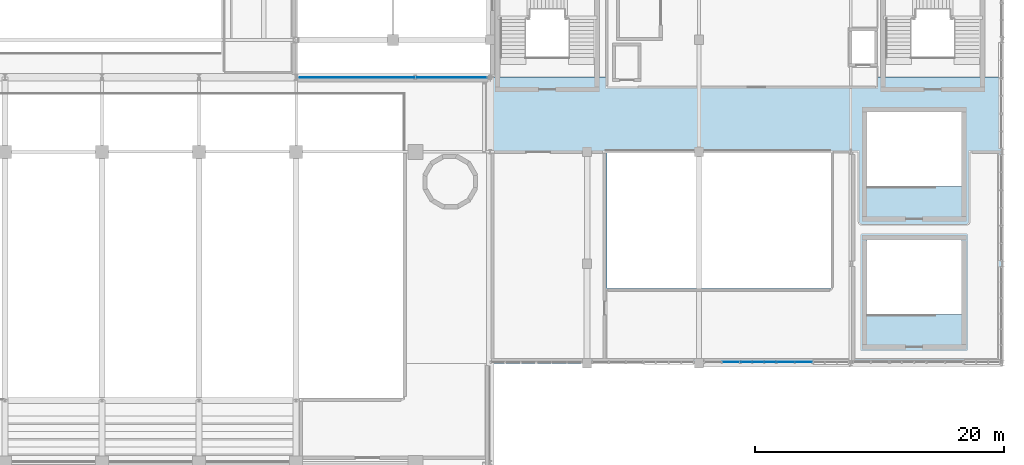
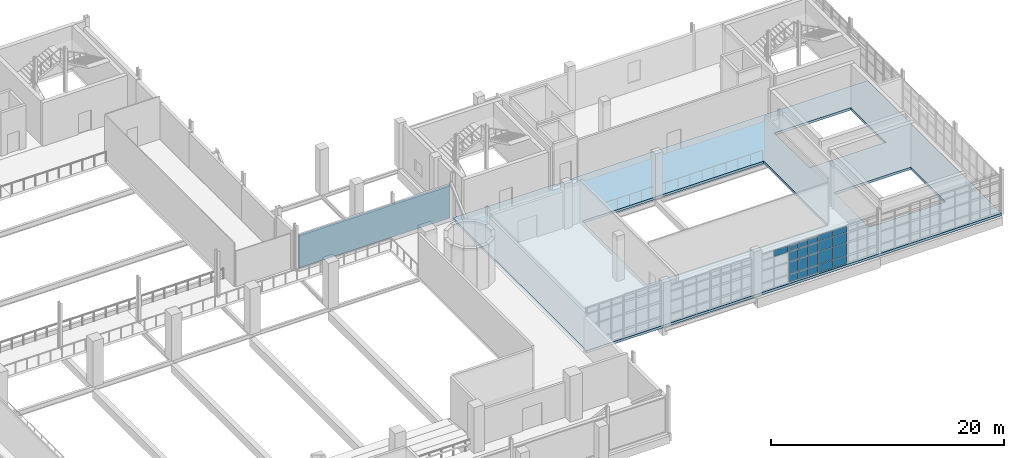
# One storey, part 73 of 102: 22 plates, 1 slab, 3 elements without a shape of their own.
"""IFC4 building model written with IfcOpenShell, lengths in metres."""

from ifc_helpers import new_model, si_unit, derived_unit, direction, frame, origin, origin_2d, place, context, subcontext, project, spatial, polyline, rectangle, outline, extrude, material, layer, layer_set, type_object, element, aggregate, save


model = new_model("IFC4")

# Units and contexts
model_context = context("Model", 3, precision=1e-05, world=origin(), true_north=direction((0.0, 1.0)))
body_context = subcontext(model_context, "Body", "Model", "MODEL_VIEW")
ifc_project = project(units=[si_unit("LENGTHUNIT", "METRE"), si_unit("AREAUNIT", "SQUARE_METRE"), si_unit("VOLUMEUNIT", "CUBIC_METRE"), si_unit("PLANEANGLEUNIT", "RADIAN"), si_unit("MASSUNIT", "GRAM", prefix="KILO"), derived_unit("THERMALTRANSMITTANCEUNIT", [(si_unit("POWERUNIT", "WATT"), 1), (si_unit("LENGTHUNIT", "METRE"), -2), (si_unit("THERMODYNAMICTEMPERATUREUNIT", "KELVIN"), -1)])], contexts=[model_context])

# Site, building, storey
site_placement = place(None, origin())
site = spatial("IfcSite", under=ifc_project, at=site_placement, CompositionType="ELEMENT")
building_placement = place(site_placement, origin())
building = spatial("IfcBuilding", under=site, at=building_placement, Name="Nallur Shell Playhouse", CompositionType="ELEMENT")
storey_placement = place(building_placement, frame((0.0, 0.0, 15.0)))
storey = spatial("IfcBuildingStorey", under=building, at=storey_placement, Name="L04", CompositionType="ELEMENT", Elevation=15.0)

# Curtain wall, plates
ifc_material_1 = material(Name="Anodised Aluminium Double-Glazed Facade System", Category="aluminium")
ifc_layer_1 = layer(ifc_material_1, 0.179931640625)
ifc_layer_set_1 = layer_set([ifc_layer_1], Name="Anodised Aluminium Double-Glazed Facade System")
curtain_wall_type_1 = type_object("IfcCurtainWallType", Name="CW-UNIT-29", PredefinedType="NOTDEFINED", material=ifc_layer_set_1)
curtain_wall_1_placement = place(storey_placement, origin())
curtain_wall_1 = element("IfcCurtainWall", 1, at=curtain_wall_1_placement, inside=storey, type_object=curtain_wall_type_1, Name="Unitised curtain wall CW-125 (L04)", PredefinedType="NOTDEFINED")
ifc_material_2 = material(Name="Solar-Control Low-E Laminated Insulating Glass", Category="glass")
ifc_layer_2 = layer(ifc_material_2, 0.033935546875)
ifc_layer_set_2 = layer_set([ifc_layer_2], Name="Solar-Control Low-E Laminated Insulating Glass")
plate_type_1 = type_object("IfcPlateType", Name="PT-GLZ-05", PredefinedType="CURTAIN_PANEL", material=ifc_layer_set_2)
plate_1_placement = place(storey_placement, frame((143.793212890625, 24.090087890625, 0.05712890625), z_axis=(0.0, 0.0, 1.0), x_axis=(-1.0, 0.0, 0.0)))
plate_1 = element("IfcPlate", 2, at=plate_1_placement, type_object=plate_type_1, Name="CW-29 panel 1.1", PredefinedType="CURTAIN_PANEL", context=body_context, shape_type="SweptSolid", body=[
    extrude(rectangle(XDim=1.3515625, YDim=0.033935546875, at=origin_2d()), origin(), (0.0, 0.0, 1.0), 0.818603515625),
])
plate_2_placement = place(storey_placement, frame((143.793212890625, 24.090087890625, 0.924560546875), z_axis=(0.0, 0.0, 1.0), x_axis=(-1.0, 0.0, 0.0)))
plate_2 = element("IfcPlate", 3, at=plate_2_placement, type_object=plate_type_1, Name="CW-29 panel 1.2", PredefinedType="CURTAIN_PANEL", context=body_context, shape_type="SweptSolid", body=[
    extrude(rectangle(XDim=1.3515625, YDim=0.033935546875, at=origin_2d()), origin(), (0.0, 0.0, 1.0), 1.2939453125),
])
plate_3_placement = place(storey_placement, frame((143.793212890625, 24.090087890625, 2.267578125), z_axis=(0.0, 0.0, 1.0), x_axis=(-1.0, 0.0, 0.0)))
plate_3 = element("IfcPlate", 4, at=plate_3_placement, type_object=plate_type_1, Name="CW-29 panel 1.3", PredefinedType="CURTAIN_PANEL", context=body_context, shape_type="SweptSolid", body=[
    extrude(rectangle(XDim=1.3515625, YDim=0.033935546875, at=origin_2d()), origin(), (0.0, 0.0, 1.0), 1.032958984375),
])
plate_4_placement = place(storey_placement, frame((143.793212890625, 24.090087890625, 3.349609375), z_axis=(0.0, 0.0, 1.0), x_axis=(-1.0, 0.0, 0.0)))
plate_4 = element("IfcPlate", 5, at=plate_4_placement, type_object=plate_type_1, Name="CW-29 panel 1.4", PredefinedType="CURTAIN_PANEL", context=body_context, shape_type="SweptSolid", body=[
    extrude(rectangle(XDim=1.3515625, YDim=0.033935546875, at=origin_2d()), origin(), (0.0, 0.0, 1.0), 0.598388671875),
])
plate_5_placement = place(storey_placement, frame((142.377685546875, 24.090087890625, 0.05712890625), z_axis=(0.0, 0.0, 1.0), x_axis=(-1.0, 0.0, 0.0)))
plate_5 = element("IfcPlate", 6, at=plate_5_placement, type_object=plate_type_1, Name="CW-29 panel 2.1", PredefinedType="CURTAIN_PANEL", context=body_context, shape_type="SweptSolid", body=[
    extrude(rectangle(XDim=1.3515625, YDim=0.033935546875, at=origin_2d()), origin(), (0.0, 0.0, 1.0), 0.818603515625),
])
plate_6_placement = place(storey_placement, frame((142.377685546875, 24.090087890625, 0.924560546875), z_axis=(0.0, 0.0, 1.0), x_axis=(-1.0, 0.0, 0.0)))
plate_6 = element("IfcPlate", 7, at=plate_6_placement, type_object=plate_type_1, Name="CW-29 panel 2.2", PredefinedType="CURTAIN_PANEL", context=body_context, shape_type="SweptSolid", body=[
    extrude(rectangle(XDim=1.3515625, YDim=0.033935546875, at=origin_2d()), origin(), (0.0, 0.0, 1.0), 1.2939453125),
])
plate_7_placement = place(storey_placement, frame((142.377685546875, 24.090087890625, 2.267578125), z_axis=(0.0, 0.0, 1.0), x_axis=(-1.0, 0.0, 0.0)))
plate_7 = element("IfcPlate", 8, at=plate_7_placement, type_object=plate_type_1, Name="CW-29 panel 2.3", PredefinedType="CURTAIN_PANEL", context=body_context, shape_type="SweptSolid", body=[
    extrude(rectangle(XDim=1.3515625, YDim=0.033935546875, at=origin_2d()), origin(), (0.0, 0.0, 1.0), 1.032958984375),
])
plate_8_placement = place(storey_placement, frame((142.377685546875, 24.090087890625, 3.349609375), z_axis=(0.0, 0.0, 1.0), x_axis=(-1.0, 0.0, 0.0)))
plate_8 = element("IfcPlate", 9, at=plate_8_placement, type_object=plate_type_1, Name="CW-29 panel 2.4", PredefinedType="CURTAIN_PANEL", context=body_context, shape_type="SweptSolid", body=[
    extrude(rectangle(XDim=1.3515625, YDim=0.033935546875, at=origin_2d()), origin(), (0.0, 0.0, 1.0), 0.598388671875),
])
aggregate(curtain_wall_1, [plate_1, plate_2, plate_3, plate_4, plate_5, plate_6, plate_7, plate_8])

ifc_layer_3 = layer(ifc_material_1, 0.159912109375)
ifc_layer_set_3 = layer_set([ifc_layer_3], Name="Anodised Aluminium Double-Glazed Facade System")
curtain_wall_type_2 = type_object("IfcCurtainWallType", Name="CW-UNIT-30", PredefinedType="NOTDEFINED", material=ifc_layer_set_3)
curtain_wall_2_placement = place(storey_placement, origin())
curtain_wall_2 = element("IfcCurtainWall", 10, at=curtain_wall_2_placement, inside=storey, type_object=curtain_wall_type_2, Name="Unitised curtain wall CW-126 (L04)", PredefinedType="NOTDEFINED")
ifc_layer_4 = layer(ifc_material_2, 0.035888671875)
ifc_layer_set_4 = layer_set([ifc_layer_4], Name="Solar-Control Low-E Laminated Insulating Glass")
plate_type_2 = type_object("IfcPlateType", Name="PT-GLZ-06", PredefinedType="CURTAIN_PANEL", material=ifc_layer_set_4)
plate_9_placement = place(storey_placement, frame((141.115966796875, 24.090087890625, 0.092041015625), z_axis=(0.0, 0.0, 1.0), x_axis=(-1.0, 0.0, 0.0)))
plate_9 = element("IfcPlate", 11, at=plate_9_placement, type_object=plate_type_2, Name="CW-30 panel 1.1", PredefinedType="CURTAIN_PANEL", context=body_context, shape_type="SweptSolid", body=[
    extrude(rectangle(XDim=0.873779296875, YDim=0.035888671875, at=origin_2d()), origin(), (0.0, 0.0, 1.0), 0.76611328125),
])
plate_10_placement = place(storey_placement, frame((141.115966796875, 24.090087890625, 0.94189453125), z_axis=(0.0, 0.0, 1.0), x_axis=(-1.0, 0.0, 0.0)))
plate_10 = element("IfcPlate", 12, at=plate_10_placement, type_object=plate_type_2, Name="CW-30 panel 1.2", PredefinedType="CURTAIN_PANEL", context=body_context, shape_type="SweptSolid", body=[
    extrude(rectangle(XDim=0.873779296875, YDim=0.035888671875, at=origin_2d()), origin(), (0.0, 0.0, 1.0), 1.248046875),
])
plate_11_placement = place(storey_placement, frame((141.115966796875, 24.090087890625, 2.27392578125), z_axis=(0.0, 0.0, 1.0), x_axis=(-1.0, 0.0, 0.0)))
plate_11 = element("IfcPlate", 13, at=plate_11_placement, type_object=plate_type_2, Name="CW-30 panel 1.3", PredefinedType="CURTAIN_PANEL", context=body_context, shape_type="SweptSolid", body=[
    extrude(rectangle(XDim=0.873779296875, YDim=0.035888671875, at=origin_2d()), origin(), (0.0, 0.0, 1.0), 0.989013671875),
])
plate_12_placement = place(storey_placement, frame((141.115966796875, 24.090087890625, 3.34716796875), z_axis=(0.0, 0.0, 1.0), x_axis=(-1.0, 0.0, 0.0)))
plate_12 = element("IfcPlate", 14, at=plate_12_placement, type_object=plate_type_2, Name="CW-30 panel 1.4", PredefinedType="CURTAIN_PANEL", context=body_context, shape_type="SweptSolid", body=[
    extrude(rectangle(XDim=0.873779296875, YDim=0.035888671875, at=origin_2d()), origin(), (0.0, 0.0, 1.0), 0.5458984375),
])
plate_13_placement = place(storey_placement, frame((140.16455078125, 24.090087890625, 0.092041015625), z_axis=(0.0, 0.0, 1.0), x_axis=(-1.0, 0.0, 0.0)))
plate_13 = element("IfcPlate", 15, at=plate_13_placement, type_object=plate_type_2, Name="CW-30 panel 2.1", PredefinedType="CURTAIN_PANEL", context=body_context, shape_type="SweptSolid", body=[
    extrude(rectangle(XDim=0.911376953125, YDim=0.035888671875, at=origin_2d()), origin(), (0.0, 0.0, 1.0), 0.76611328125),
])
plate_14_placement = place(storey_placement, frame((140.16455078125, 24.090087890625, 0.94189453125), z_axis=(0.0, 0.0, 1.0), x_axis=(-1.0, 0.0, 0.0)))
plate_14 = element("IfcPlate", 16, at=plate_14_placement, type_object=plate_type_2, Name="CW-30 panel 2.2", PredefinedType="CURTAIN_PANEL", context=body_context, shape_type="SweptSolid", body=[
    extrude(rectangle(XDim=0.911376953125, YDim=0.035888671875, at=origin_2d()), origin(), (0.0, 0.0, 1.0), 1.248046875),
])
plate_15_placement = place(storey_placement, frame((140.16455078125, 24.090087890625, 2.27392578125), z_axis=(0.0, 0.0, 1.0), x_axis=(-1.0, 0.0, 0.0)))
plate_15 = element("IfcPlate", 17, at=plate_15_placement, type_object=plate_type_2, Name="CW-30 panel 2.3", PredefinedType="CURTAIN_PANEL", context=body_context, shape_type="SweptSolid", body=[
    extrude(rectangle(XDim=0.911376953125, YDim=0.035888671875, at=origin_2d()), origin(), (0.0, 0.0, 1.0), 0.989013671875),
])
plate_16_placement = place(storey_placement, frame((140.16455078125, 24.090087890625, 3.34716796875), z_axis=(0.0, 0.0, 1.0), x_axis=(-1.0, 0.0, 0.0)))
plate_16 = element("IfcPlate", 18, at=plate_16_placement, type_object=plate_type_2, Name="CW-30 panel 2.4", PredefinedType="CURTAIN_PANEL", context=body_context, shape_type="SweptSolid", body=[
    extrude(rectangle(XDim=0.911376953125, YDim=0.035888671875, at=origin_2d()), origin(), (0.0, 0.0, 1.0), 0.5458984375),
])
plate_17_placement = place(storey_placement, frame((139.212890625, 24.090087890625, 0.092041015625), z_axis=(0.0, 0.0, 1.0), x_axis=(-1.0, 0.0, 0.0)))
plate_17 = element("IfcPlate", 19, at=plate_17_placement, type_object=plate_type_2, Name="CW-30 panel 3.1", PredefinedType="CURTAIN_PANEL", context=body_context, shape_type="SweptSolid", body=[
    extrude(rectangle(XDim=0.873779296875, YDim=0.035888671875, at=origin_2d()), origin(), (0.0, 0.0, 1.0), 0.76611328125),
])
plate_18_placement = place(storey_placement, frame((139.212890625, 24.090087890625, 0.94189453125), z_axis=(0.0, 0.0, 1.0), x_axis=(-1.0, 0.0, 0.0)))
plate_18 = element("IfcPlate", 20, at=plate_18_placement, type_object=plate_type_2, Name="CW-30 panel 3.2", PredefinedType="CURTAIN_PANEL", context=body_context, shape_type="SweptSolid", body=[
    extrude(rectangle(XDim=0.873779296875, YDim=0.035888671875, at=origin_2d()), origin(), (0.0, 0.0, 1.0), 1.248046875),
])
plate_19_placement = place(storey_placement, frame((139.212890625, 24.090087890625, 2.27392578125), z_axis=(0.0, 0.0, 1.0), x_axis=(-1.0, 0.0, 0.0)))
plate_19 = element("IfcPlate", 21, at=plate_19_placement, type_object=plate_type_2, Name="CW-30 panel 3.3", PredefinedType="CURTAIN_PANEL", context=body_context, shape_type="SweptSolid", body=[
    extrude(rectangle(XDim=0.873779296875, YDim=0.035888671875, at=origin_2d()), origin(), (0.0, 0.0, 1.0), 0.989013671875),
])
plate_20_placement = place(storey_placement, frame((139.212890625, 24.090087890625, 3.34716796875), z_axis=(0.0, 0.0, 1.0), x_axis=(-1.0, 0.0, 0.0)))
plate_20 = element("IfcPlate", 22, at=plate_20_placement, type_object=plate_type_2, Name="CW-30 panel 3.4", PredefinedType="CURTAIN_PANEL", context=body_context, shape_type="SweptSolid", body=[
    extrude(rectangle(XDim=0.873779296875, YDim=0.035888671875, at=origin_2d()), origin(), (0.0, 0.0, 1.0), 0.5458984375),
])
aggregate(curtain_wall_2, [plate_9, plate_10, plate_11, plate_12, plate_13, plate_14, plate_15, plate_16, plate_17, plate_18, plate_19, plate_20])

# Curtain wall, plate
ifc_layer_5 = layer(ifc_material_1, 0.1640625)
ifc_layer_set_5 = layer_set([ifc_layer_5], Name="Anodised Aluminium Double-Glazed Facade System")
curtain_wall_type_3 = type_object("IfcCurtainWallType", Name="CW-UNIT-31", PredefinedType="NOTDEFINED", material=ifc_layer_set_5)
curtain_wall_3_placement = place(storey_placement, origin())
curtain_wall_3 = element("IfcCurtainWall", 23, at=curtain_wall_3_placement, inside=storey, type_object=curtain_wall_type_3, Name="Unitised curtain wall CW-127 (L04)", PredefinedType="NOTDEFINED")
ifc_layer_6 = layer(ifc_material_2, 0.0380859375)
ifc_layer_set_6 = layer_set([ifc_layer_6], Name="Solar-Control Low-E Laminated Insulating Glass")
plate_type_3 = type_object("IfcPlateType", Name="PT-GLZ-07", PredefinedType="CURTAIN_PANEL", material=ifc_layer_set_6)
plate_21_placement = place(storey_placement, frame((137.953857421875, 24.090087890625, 3.3095703125), z_axis=(0.0, 0.0, 1.0), x_axis=(-1.0, 0.0, 0.0)))
plate_21 = element("IfcPlate", 24, at=plate_21_placement, type_object=plate_type_3, Name="CW-31 panel 1.4", PredefinedType="CURTAIN_PANEL", context=body_context, shape_type="SweptSolid", body=[
    extrude(rectangle(XDim=1.37646484375, YDim=0.0380859375, at=origin_2d()), origin(), (0.0, 0.0, 1.0), 0.598388671875),
])
aggregate(curtain_wall_3, [plate_21])

# Plate
ifc_material_3 = material(Name="Gold-Anodised Perforated Aluminium Acoustic Cladding", Category="aluminium")
ifc_layer_7 = layer(ifc_material_3, 0.010009765625)
ifc_layer_set_7 = layer_set([ifc_layer_7], Name="Gold-Anodised Perforated Aluminium Acoustic Cladding")
plate_type_4 = type_object("IfcPlateType", Name="PT-GOLD-03", PredefinedType="SHEET", material=ifc_layer_set_7)
plate_22_placement = place(storey_placement, frame((110.800048828125, 46.97802734375, 0.10009765625), z_axis=(0.0, 0.0, 1.0), x_axis=(1.0, 0.0, 0.0)))
element("IfcPlate", 25, at=plate_22_placement, inside=storey, type_object=plate_type_4, Name="Gold-anodised perforated aluminium cladding GC-009", PredefinedType="SHEET", context=body_context, shape_type="SweptSolid", body=[
    extrude(rectangle(XDim=15.030029296875, YDim=0.01806640625, at=origin_2d()), origin(), (0.0, 0.0, 1.0), 3.534912109375),
])

# Slab
ifc_material_4 = material(Name="Concrete M30", Category="concrete")
ifc_layer_8 = layer(ifc_material_4, 0.260009765625)
ifc_layer_set_8 = layer_set([ifc_layer_8], Name="Concrete M30")
slab_type = type_object("IfcSlabType", Name="SL-FLOOR-260", PredefinedType="FLOOR", material=ifc_layer_set_8)
slab_placement = place(storey_placement, frame((0.0, 0.0, -0.260009765625)))
element("IfcSlab", 26, at=slab_placement, inside=storey, type_object=slab_type, Name="L04 structural floor slab panel 17", PredefinedType="FLOOR", context=body_context, shape_type="SweptSolid", body=[
    extrude(outline(polyline([(159.800048828125, 24.0), (118.60009765625, 24.0), (118.60009765625, 47.0), (128.699951171875, 47.0), (128.699951171875, 46.89990234375), (130.5, 46.89990234375), (130.5, 47.0), (159.800048828125, 47.0), (159.800048828125, 24.0)]), holes=[polyline([(156.5, 27.89990234375), (156.5, 33.89990234375), (148.89990234375, 33.89990234375), (148.89990234375, 27.89990234375), (156.5, 27.89990234375)]), polyline([(128.0, 41.0), (128.0, 30.0), (146.0, 30.0), (146.0, 41.0), (128.0, 41.0)]), polyline([(156.5, 38.199951171875), (156.5, 44.199951171875), (148.89990234375, 44.199951171875), (148.89990234375, 38.199951171875), (156.5, 38.199951171875)])]), origin(), (0.0, 0.0, 1.0), 0.260009765625),
])

save(model, "model.ifc")
